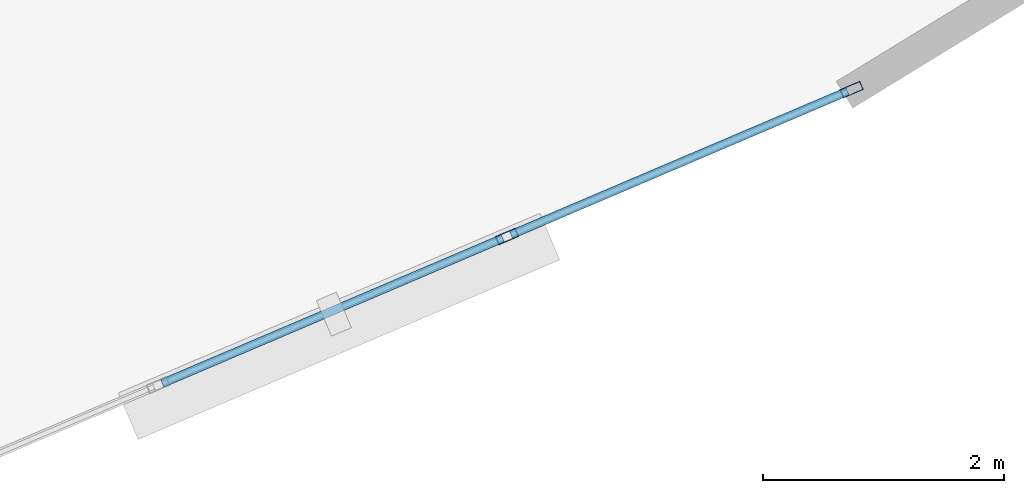
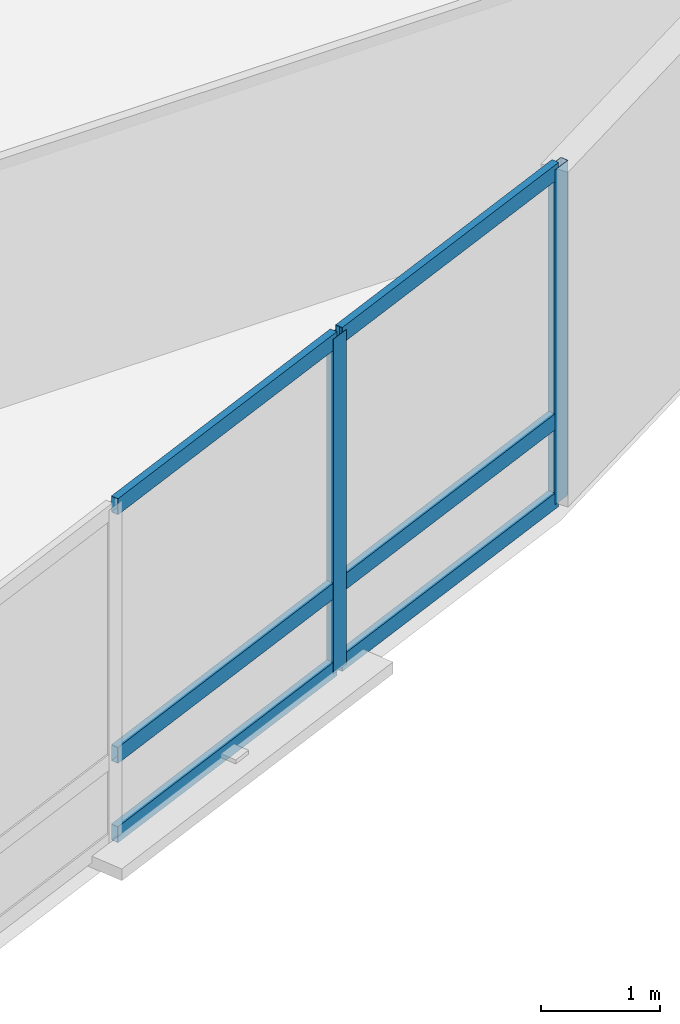
# One storey, part 11 of 20: 8 members, 1 element without a shape of its own.
"""IFC4 building model written with IfcOpenShell, lengths in metres."""

import ifcopenshell
import ifcopenshell.guid

model = None  # the IFC model being written
_history = None  # IfcOwnerHistory: only IFC2X3 demands one
_inside = {}  # id of a spatial element -> (the spatial element, [elements in it])
_under = {}  # id of a project, library or spatial element -> (it, [spatial elements below it])
_declared = {}  # id of a project -> (the project, [libraries it declares])
_typed = {}  # id of a type object -> (the type object, [elements of that type])
_made_of = {}  # id of a material, layer set ... -> (it, [elements and type objects made of it])


def new_model(schema):
    """Start an empty IFC model of exactly this schema.

    Asked for "IFC4X3", IfcOpenShell would pick the latest addendum, in which some entities
    have other attributes; the version numbers below select the first issue.
    IFC2X3 requires an IfcOwnerHistory on every rooted entity: one is made here for all.
    """
    global model, _history
    if schema == "IFC4X3":
        model = ifcopenshell.file(schema_version=(4, 3, 0, 0))
    else:
        model = ifcopenshell.file(schema=schema)
    _inside.clear()
    _under.clear()
    _declared.clear()
    _typed.clear()
    _made_of.clear()
    _history = None
    if model.schema == "IFC2X3":
        org = make("IfcOrganization", Name="unknown")
        user = make(
            "IfcPersonAndOrganization",
            ThePerson=make("IfcPerson", FamilyName="unknown"),
            TheOrganization=org,
        )
        app = make(
            "IfcApplication",
            ApplicationDeveloper=org,
            Version="unknown",
            ApplicationFullName="unknown",
            ApplicationIdentifier="unknown",
        )
        _history = make(
            "IfcOwnerHistory",
            OwningUser=user,
            OwningApplication=app,
            ChangeAction="ADDED",
            CreationDate=0,
        )
    return model


def make(cls, **values):
    """One entity of the class cls with the attributes given. An attribute that is None is left unset."""
    return model.create_entity(
        cls, **{name: value for name, value in values.items() if value is not None}
    )


def rooted(cls, **values):
    """An entity with a GlobalId (a new one), such as an element, a storey or a relation."""
    return make(cls, GlobalId=ifcopenshell.guid.new(), OwnerHistory=_history, **values)


def si_unit(unit_type, name, prefix=None):
    """IfcSIUnit, for example si_unit("LENGTHUNIT", "METRE", prefix="MILLI")."""
    return make("IfcSIUnit", UnitType=unit_type, Prefix=prefix, Name=name)


def assignment(units):
    """IfcUnitAssignment: the units of a project."""
    return None if units is None else make("IfcUnitAssignment", Units=units)


def point(xyz):
    """IfcCartesianPoint."""
    return None if xyz is None else make("IfcCartesianPoint", Coordinates=xyz)


def direction(xyz):
    """IfcDirection."""
    return None if xyz is None else make("IfcDirection", DirectionRatios=xyz)


def frame(location, z_axis=None, x_axis=None):
    """IfcAxis2Placement3D, a coordinate frame: its origin and axes. An axis left out is left unset."""
    return make(
        "IfcAxis2Placement3D",
        Location=point(location),
        Axis=direction(z_axis),
        RefDirection=direction(x_axis),
    )


def frame_2d(location, x_axis=None):
    """IfcAxis2Placement2D, a coordinate frame in the plane: its origin and x axis."""
    return make(
        "IfcAxis2Placement2D", Location=point(location), RefDirection=direction(x_axis)
    )


def origin():
    """The frame at (0, 0, 0) with its axes left unset."""
    return frame((0.0, 0.0, 0.0))


def origin_2d():
    """The frame at (0, 0) in the plane with its x axis left unset."""
    return frame_2d((0.0, 0.0))


def place(relative_to, where):
    """IfcLocalPlacement: puts the frame where relative to a parent placement (None: the world)."""
    return make(
        "IfcLocalPlacement", PlacementRelTo=relative_to, RelativePlacement=where
    )


def context(
    kind, dimensions, precision=None, world=None, true_north=None, identifier=None
):
    """IfcGeometricRepresentationContext, for example the 3D "Model" context."""
    return make(
        "IfcGeometricRepresentationContext",
        ContextIdentifier=identifier,
        ContextType=kind,
        CoordinateSpaceDimension=dimensions,
        Precision=precision,
        WorldCoordinateSystem=world,
        TrueNorth=true_north,
    )


def subcontext(parent, identifier, kind, view, scale=None):
    """IfcGeometricRepresentationSubContext, for example "Body" below "Model"."""
    return make(
        "IfcGeometricRepresentationSubContext",
        ContextIdentifier=identifier,
        ContextType=kind,
        ParentContext=parent,
        TargetScale=scale,
        TargetView=view,
    )


def project(units=None, contexts=None):
    """IfcProject with its units and contexts."""
    return rooted(
        "IfcProject",
        Name="project",
        RepresentationContexts=contexts,
        UnitsInContext=assignment(units),
    )


def spatial(cls, under=None, at=None, **own):
    """A site, building, storey or space (cls), placed at a placement, below another one or the project."""
    s = rooted(cls, ObjectPlacement=at, **own)
    if under is not None:
        _under.setdefault(under.id(), (under, []))[1].append(s)
    return s


def profile(cls, at=None, kind="AREA", **sizes):
    """A parametric profile (cls). Its sizes go by their IFC names, for example OverallWidth=200.0."""
    return make(cls, ProfileType=kind, Position=at, **sizes)


def hollow_rectangle(**sizes):
    """IfcRectangleHollowProfileDef."""
    return profile("IfcRectangleHollowProfileDef", **sizes)


def extrude(swept, where, along, depth):
    """IfcExtrudedAreaSolid: the profile swept, set in the frame where, extruded along a direction by depth."""
    return make(
        "IfcExtrudedAreaSolid",
        SweptArea=swept,
        Position=where,
        ExtrudedDirection=direction(along),
        Depth=depth,
    )


def shape(context_of_items, identifier, shape_type, items):
    """IfcShapeRepresentation: the items that make up one representation, for example the "Body"."""
    return make(
        "IfcShapeRepresentation",
        ContextOfItems=context_of_items,
        RepresentationIdentifier=identifier,
        RepresentationType=shape_type,
        Items=items,
    )


def material(Name=None, Category=None):
    """IfcMaterial."""
    return make("IfcMaterial", Name=Name, Category=Category)


def layer(
    of_material, thickness, ventilated=None, Name=None, Category=None, Priority=None
):
    """IfcMaterialLayer: one layer of a wall or slab, of a material (None: an air gap)."""
    return make(
        "IfcMaterialLayer",
        Material=of_material,
        LayerThickness=thickness,
        IsVentilated=ventilated,
        Name=Name,
        Category=Category,
        Priority=Priority,
    )


def layer_set(layers, Name=None):
    """IfcMaterialLayerSet."""
    return make("IfcMaterialLayerSet", MaterialLayers=layers, LayerSetName=Name)


def material_profile(
    of_material, cross_section, Name=None, Category=None, Priority=None
):
    """IfcMaterialProfile: a cross section and its material."""
    return make(
        "IfcMaterialProfile",
        Name=Name,
        Material=of_material,
        Profile=cross_section,
        Priority=Priority,
        Category=Category,
    )


def profile_set(profiles, Name=None, composite=None):
    """IfcMaterialProfileSet."""
    return make(
        "IfcMaterialProfileSet",
        Name=Name,
        MaterialProfiles=profiles,
        CompositeProfile=composite,
    )


def made_of(thing, what):
    """Note that an element or type object is made of a material, layer set ...; save() writes the relation."""
    if what is not None:
        _made_of.setdefault(what.id(), (what, []))[1].append(thing)
    return thing


def type_object(cls, material=None, **own):
    """A type object (cls), such as IfcWallType, which elements share."""
    return made_of(rooted(cls, **own), material)


def element(
    cls,
    number,
    at=None,
    inside=None,
    cuts=None,
    type_object=None,
    material=None,
    context=None,
    identifier="Body",
    shape_type=None,
    held_by="IfcProductDefinitionShape",
    body=None,
    shapes=None,
    **own,
):
    """One element of the class cls, such as IfcWall. Its Tag is "e" and its number.

    at: its placement. inside: the storey or other place that contains it. cuts: it is an
    opening in that element (IfcRelVoidsElement). A single representation is given by context,
    identifier, shape_type and body (its items); several are given by shapes. held_by: the class
    of the entity that holds the representations. save() writes the other relations.
    """
    e = rooted(cls, Tag="e%d" % number, ObjectPlacement=at, **own)
    if body is not None:
        shapes = [shape(context, identifier, shape_type, body)]
    if shapes is not None:
        e.Representation = make(held_by, Representations=shapes)
    if inside is not None:
        _inside.setdefault(inside.id(), (inside, []))[1].append(e)
    if cuts is not None:
        rooted(
            "IfcRelVoidsElement", RelatingBuildingElement=cuts, RelatedOpeningElement=e
        )
    if type_object is not None:
        _typed.setdefault(type_object.id(), (type_object, []))[1].append(e)
    return made_of(e, material)


def aggregate(whole, parts):
    """IfcRelAggregates: a whole, such as a stair, and the parts it consists of."""
    return rooted("IfcRelAggregates", RelatingObject=whole, RelatedObjects=parts)


def save(model, path):
    """Write the relations noted so far, then the file.

    IfcRelAggregates (storeys below a building ...), IfcRelContainedInSpatialStructure (elements
    in a storey), IfcRelDefinesByType, IfcRelAssociatesMaterial and IfcRelDeclares: one each for
    every whole, place, type object, material and project.
    """
    for whole, parts in _under.values():
        aggregate(whole, parts)
    for where, things in _inside.values():
        rooted(
            "IfcRelContainedInSpatialStructure",
            RelatedElements=things,
            RelatingStructure=where,
        )
    for kind, things in _typed.values():
        rooted("IfcRelDefinesByType", RelatedObjects=things, RelatingType=kind)
    for what, things in _made_of.values():
        rooted("IfcRelAssociatesMaterial", RelatedObjects=things, RelatingMaterial=what)
    for by, libraries in _declared.values():
        rooted("IfcRelDeclares", RelatingContext=by, RelatedDefinitions=libraries)
    model.write(path)


model = new_model("IFC4")

# Units and contexts
model_context = context("Model", 3, precision=1e-05, world=origin(), true_north=direction((0.0, 1.0)))
body_context = subcontext(model_context, "Body", "Model", "MODEL_VIEW")
ifc_project = project(units=[si_unit("LENGTHUNIT", "METRE"), si_unit("AREAUNIT", "SQUARE_METRE"), si_unit("VOLUMEUNIT", "CUBIC_METRE"), si_unit("PLANEANGLEUNIT", "RADIAN"), si_unit("MASSUNIT", "GRAM", prefix="KILO")], contexts=[model_context])

# Site, building, storey
site_placement = place(None, origin())
site = spatial("IfcSite", under=ifc_project, at=site_placement, CompositionType="ELEMENT")
building_placement = place(site_placement, origin())
building = spatial("IfcBuilding", under=site, at=building_placement, Name="Menara Vayukalpa", CompositionType="ELEMENT")
storey_placement = place(building_placement, frame((0.0, 0.0, 64.800048828125)))
storey = spatial("IfcBuildingStorey", under=building, at=storey_placement, Name="L15", CompositionType="ELEMENT", Elevation=64.800048828125)

# Curtain wall, members
ifc_material_1 = material(Name="Anodised Terracotta Aluminium Alloy 6063-T6", Category="masonry")
ifc_layer = layer(ifc_material_1, 0.179931640625)
ifc_layer_set = layer_set([ifc_layer], Name="Anodised Terracotta Aluminium Alloy 6063-T6")
curtain_wall_type = type_object("IfcCurtainWallType", Name="CW-CW4", PredefinedType="USERDEFINED", material=ifc_layer_set)
curtain_wall_placement = place(storey_placement, origin())
curtain_wall = element("IfcCurtainWall", 1, at=curtain_wall_placement, inside=storey, type_object=curtain_wall_type, Name="L15 Sky Bar Cantilever Glazed Curtain Wall CW4 17", ObjectType="UNITISED", PredefinedType="USERDEFINED")
ifc_material_2 = material(Name="Anodised Terracotta Aluminium Alloy 6063-T6", Category="masonry")
ifc_material_profile_1 = material_profile(ifc_material_2, hollow_rectangle(XDim=0.074951171875, YDim=0.179931640625, WallThickness=0.00390625, at=origin_2d()), Name="ALU 75x180x4")
ifc_profile_set_1 = profile_set([ifc_material_profile_1], Name="Anodised Terracotta Aluminium Alloy 6063-T6")
member_type_1 = type_object("IfcMemberType", Name="CWM-CW4", PredefinedType="MULLION", material=ifc_profile_set_1)
member_1_placement = place(storey_placement, frame((44.205078125, 13.259033203125, 0.0), z_axis=(0.0, 0.0, 1.0), x_axis=(-0.392008132718, 0.919961751315, 0.0)))
member_1 = element("IfcMember", 2, at=member_1_placement, type_object=member_type_1, Name="CW4 mullion 3", PredefinedType="MULLION", context=body_context, shape_type="SweptSolid", body=[
    extrude(hollow_rectangle(XDim=0.074951171875, YDim=0.179931640625, WallThickness=0.00390625, at=origin_2d()), origin(), (0.0, 0.0, 1.0), 3.43994140625),
])
member_2_placement = place(storey_placement, frame((47.06298828125, 14.476806640625, 0.0), z_axis=(0.0, 0.0, 1.0), x_axis=(-0.392008132718, 0.919961751315, 0.0)))
member_2 = element("IfcMember", 3, at=member_2_placement, type_object=member_type_1, Name="CW4 mullion 4", PredefinedType="MULLION", context=body_context, shape_type="SweptSolid", body=[
    extrude(hollow_rectangle(XDim=0.074951171875, YDim=0.179931640625, WallThickness=0.00390625, at=origin_2d()), origin(), (0.0, 0.0, 1.0), 3.43994140625),
])
ifc_material_3 = material(Name="Anodised Terracotta Aluminium Alloy 6063-T6", Category="masonry")
ifc_material_profile_2 = material_profile(ifc_material_3, hollow_rectangle(XDim=0.070068359375, YDim=0.1650390625, WallThickness=0.00390625, at=origin_2d()), Name="ALU 70x165x4")
ifc_profile_set_2 = profile_set([ifc_material_profile_2], Name="Anodised Terracotta Aluminium Alloy 6063-T6")
member_type_2 = type_object("IfcMemberType", Name="CWT-CW4", PredefinedType="USERDEFINED", material=ifc_profile_set_2)
member_3_placement = place(storey_placement, frame((41.34716796875, 12.041259765625, 0.034912109375), z_axis=(0.919961830658, 0.392007946518, 0.0), x_axis=(-0.392007946518, 0.919961830658, 0.0)))
member_3 = element("IfcMember", 4, at=member_3_placement, type_object=member_type_2, Name="CW4 transom 2.1", ObjectType="TRANSOM", PredefinedType="USERDEFINED", context=body_context, shape_type="SweptSolid", body=[
    extrude(hollow_rectangle(XDim=0.070068359375, YDim=0.1650390625, WallThickness=0.00390625, at=origin_2d()), origin(), (0.0, 0.0, 1.0), 3.069091796875),
])
member_4_placement = place(storey_placement, frame((41.34716796875, 12.041259765625, 0.849853515625), z_axis=(0.919961830658, 0.392007946518, 0.0), x_axis=(-0.392007946518, 0.919961830658, 0.0)))
member_4 = element("IfcMember", 5, at=member_4_placement, type_object=member_type_2, Name="CW4 transom 2.2", ObjectType="TRANSOM", PredefinedType="USERDEFINED", context=body_context, shape_type="SweptSolid", body=[
    extrude(hollow_rectangle(XDim=0.070068359375, YDim=0.1650390625, WallThickness=0.00390625, at=origin_2d()), origin(), (0.0, 0.0, 1.0), 3.069091796875),
])
member_5_placement = place(storey_placement, frame((41.34716796875, 12.041259765625, 3.405029296875), z_axis=(0.919961830658, 0.392007946518, 0.0), x_axis=(-0.392007946518, 0.919961830658, 0.0)))
member_5 = element("IfcMember", 6, at=member_5_placement, type_object=member_type_2, Name="CW4 transom 2.3", ObjectType="TRANSOM", PredefinedType="USERDEFINED", context=body_context, shape_type="SweptSolid", body=[
    extrude(hollow_rectangle(XDim=0.070068359375, YDim=0.1650390625, WallThickness=0.00390625, at=origin_2d()), origin(), (0.0, 0.0, 1.0), 3.069091796875),
])
member_6_placement = place(storey_placement, frame((44.239501953125, 13.273681640625, 0.034912109375), z_axis=(0.919959450087, 0.392013533178, 0.0), x_axis=(-0.392013533178, 0.919959450087, 0.0)))
member_6 = element("IfcMember", 7, at=member_6_placement, type_object=member_type_2, Name="CW4 transom 3.1", ObjectType="TRANSOM", PredefinedType="USERDEFINED", context=body_context, shape_type="SweptSolid", body=[
    extrude(hollow_rectangle(XDim=0.070068359375, YDim=0.1650390625, WallThickness=0.00390625, at=origin_2d()), origin(), (0.0, 0.0, 1.0), 3.03173828125),
])
member_7_placement = place(storey_placement, frame((44.239501953125, 13.273681640625, 0.849853515625), z_axis=(0.919959450087, 0.392013533178, 0.0), x_axis=(-0.392013533178, 0.919959450087, 0.0)))
member_7 = element("IfcMember", 8, at=member_7_placement, type_object=member_type_2, Name="CW4 transom 3.2", ObjectType="TRANSOM", PredefinedType="USERDEFINED", context=body_context, shape_type="SweptSolid", body=[
    extrude(hollow_rectangle(XDim=0.070068359375, YDim=0.1650390625, WallThickness=0.00390625, at=origin_2d()), origin(), (0.0, 0.0, 1.0), 3.03173828125),
])
member_8_placement = place(storey_placement, frame((44.239501953125, 13.273681640625, 3.405029296875), z_axis=(0.919959450087, 0.392013533178, 0.0), x_axis=(-0.392013533178, 0.919959450087, 0.0)))
member_8 = element("IfcMember", 9, at=member_8_placement, type_object=member_type_2, Name="CW4 transom 3.3", ObjectType="TRANSOM", PredefinedType="USERDEFINED", context=body_context, shape_type="SweptSolid", body=[
    extrude(hollow_rectangle(XDim=0.070068359375, YDim=0.1650390625, WallThickness=0.00390625, at=origin_2d()), origin(), (0.0, 0.0, 1.0), 3.03173828125),
])
aggregate(curtain_wall, [member_1, member_2, member_3, member_4, member_5, member_6, member_7, member_8])

save(model, "model.ifc")
